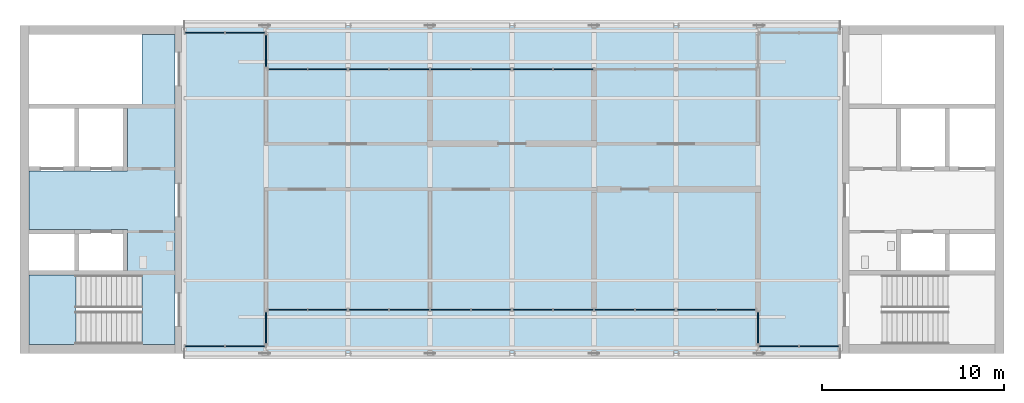
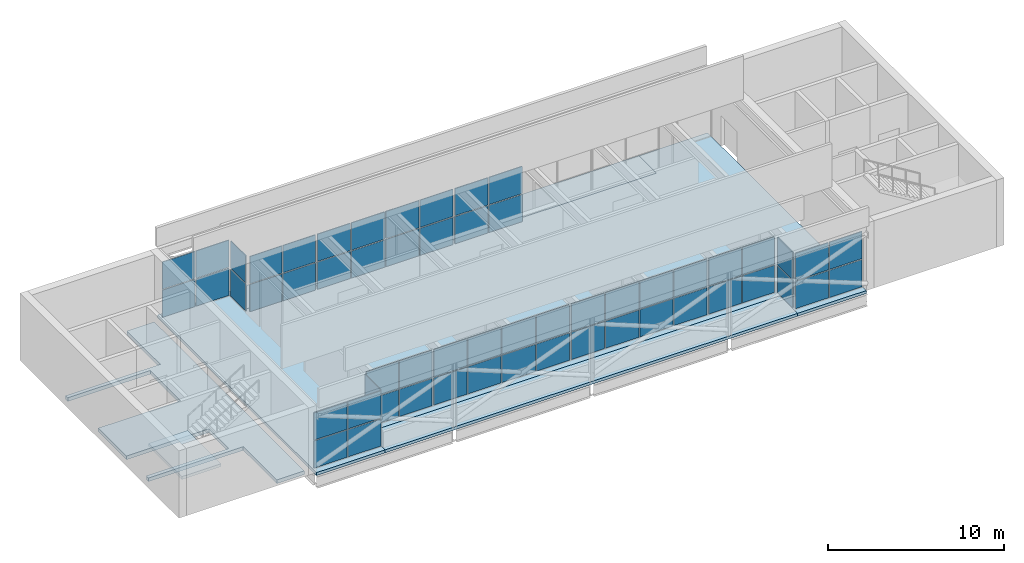
# One storey, part 6 of 13: 58 plates, 5 slabs, 14 elements without a shape of their own.
"""IFC4 building model written with IfcOpenShell, lengths in metres."""

import ifcopenshell
import ifcopenshell.guid

model = None  # the IFC model being written
_history = None  # IfcOwnerHistory: only IFC2X3 demands one
_inside = {}  # id of a spatial element -> (the spatial element, [elements in it])
_under = {}  # id of a project, library or spatial element -> (it, [spatial elements below it])
_declared = {}  # id of a project -> (the project, [libraries it declares])
_typed = {}  # id of a type object -> (the type object, [elements of that type])
_made_of = {}  # id of a material, layer set ... -> (it, [elements and type objects made of it])


def new_model(schema):
    """Start an empty IFC model of exactly this schema.

    Asked for "IFC4X3", IfcOpenShell would pick the latest addendum, in which some entities
    have other attributes; the version numbers below select the first issue.
    IFC2X3 requires an IfcOwnerHistory on every rooted entity: one is made here for all.
    """
    global model, _history
    if schema == "IFC4X3":
        model = ifcopenshell.file(schema_version=(4, 3, 0, 0))
    else:
        model = ifcopenshell.file(schema=schema)
    _inside.clear()
    _under.clear()
    _declared.clear()
    _typed.clear()
    _made_of.clear()
    _history = None
    if model.schema == "IFC2X3":
        org = make("IfcOrganization", Name="unknown")
        user = make(
            "IfcPersonAndOrganization",
            ThePerson=make("IfcPerson", FamilyName="unknown"),
            TheOrganization=org,
        )
        app = make(
            "IfcApplication",
            ApplicationDeveloper=org,
            Version="unknown",
            ApplicationFullName="unknown",
            ApplicationIdentifier="unknown",
        )
        _history = make(
            "IfcOwnerHistory",
            OwningUser=user,
            OwningApplication=app,
            ChangeAction="ADDED",
            CreationDate=0,
        )
    return model


def make(cls, **values):
    """One entity of the class cls with the attributes given. An attribute that is None is left unset."""
    return model.create_entity(
        cls, **{name: value for name, value in values.items() if value is not None}
    )


def rooted(cls, **values):
    """An entity with a GlobalId (a new one), such as an element, a storey or a relation."""
    return make(cls, GlobalId=ifcopenshell.guid.new(), OwnerHistory=_history, **values)


def si_unit(unit_type, name, prefix=None):
    """IfcSIUnit, for example si_unit("LENGTHUNIT", "METRE", prefix="MILLI")."""
    return make("IfcSIUnit", UnitType=unit_type, Prefix=prefix, Name=name)


def assignment(units):
    """IfcUnitAssignment: the units of a project."""
    return None if units is None else make("IfcUnitAssignment", Units=units)


def point(xyz):
    """IfcCartesianPoint."""
    return None if xyz is None else make("IfcCartesianPoint", Coordinates=xyz)


def direction(xyz):
    """IfcDirection."""
    return None if xyz is None else make("IfcDirection", DirectionRatios=xyz)


def frame(location, z_axis=None, x_axis=None):
    """IfcAxis2Placement3D, a coordinate frame: its origin and axes. An axis left out is left unset."""
    return make(
        "IfcAxis2Placement3D",
        Location=point(location),
        Axis=direction(z_axis),
        RefDirection=direction(x_axis),
    )


def frame_2d(location, x_axis=None):
    """IfcAxis2Placement2D, a coordinate frame in the plane: its origin and x axis."""
    return make(
        "IfcAxis2Placement2D", Location=point(location), RefDirection=direction(x_axis)
    )


def origin():
    """The frame at (0, 0, 0) with its axes left unset."""
    return frame((0.0, 0.0, 0.0))


def origin_2d():
    """The frame at (0, 0) in the plane with its x axis left unset."""
    return frame_2d((0.0, 0.0))


def place(relative_to, where):
    """IfcLocalPlacement: puts the frame where relative to a parent placement (None: the world)."""
    return make(
        "IfcLocalPlacement", PlacementRelTo=relative_to, RelativePlacement=where
    )


def context(
    kind, dimensions, precision=None, world=None, true_north=None, identifier=None
):
    """IfcGeometricRepresentationContext, for example the 3D "Model" context."""
    return make(
        "IfcGeometricRepresentationContext",
        ContextIdentifier=identifier,
        ContextType=kind,
        CoordinateSpaceDimension=dimensions,
        Precision=precision,
        WorldCoordinateSystem=world,
        TrueNorth=true_north,
    )


def subcontext(parent, identifier, kind, view, scale=None):
    """IfcGeometricRepresentationSubContext, for example "Body" below "Model"."""
    return make(
        "IfcGeometricRepresentationSubContext",
        ContextIdentifier=identifier,
        ContextType=kind,
        ParentContext=parent,
        TargetScale=scale,
        TargetView=view,
    )


def project(units=None, contexts=None):
    """IfcProject with its units and contexts."""
    return rooted(
        "IfcProject",
        Name="project",
        RepresentationContexts=contexts,
        UnitsInContext=assignment(units),
    )


def spatial(cls, under=None, at=None, **own):
    """A site, building, storey or space (cls), placed at a placement, below another one or the project."""
    s = rooted(cls, ObjectPlacement=at, **own)
    if under is not None:
        _under.setdefault(under.id(), (under, []))[1].append(s)
    return s


def polyline(points):
    """IfcPolyline through the points."""
    return make("IfcPolyline", Points=[point(p) for p in points])


def profile(cls, at=None, kind="AREA", **sizes):
    """A parametric profile (cls). Its sizes go by their IFC names, for example OverallWidth=200.0."""
    return make(cls, ProfileType=kind, Position=at, **sizes)


def rectangle(**sizes):
    """IfcRectangleProfileDef."""
    return profile("IfcRectangleProfileDef", **sizes)


def outline(outer, holes=None, kind="AREA"):
    """IfcArbitraryClosedProfileDef: a profile drawn as a closed curve; with holes, ...WithVoids."""
    if holes is None:
        return make("IfcArbitraryClosedProfileDef", ProfileType=kind, OuterCurve=outer)
    return make(
        "IfcArbitraryProfileDefWithVoids",
        ProfileType=kind,
        OuterCurve=outer,
        InnerCurves=holes,
    )


def extrude(swept, where, along, depth):
    """IfcExtrudedAreaSolid: the profile swept, set in the frame where, extruded along a direction by depth."""
    return make(
        "IfcExtrudedAreaSolid",
        SweptArea=swept,
        Position=where,
        ExtrudedDirection=direction(along),
        Depth=depth,
    )


def shape(context_of_items, identifier, shape_type, items):
    """IfcShapeRepresentation: the items that make up one representation, for example the "Body"."""
    return make(
        "IfcShapeRepresentation",
        ContextOfItems=context_of_items,
        RepresentationIdentifier=identifier,
        RepresentationType=shape_type,
        Items=items,
    )


def material(Name=None, Category=None):
    """IfcMaterial."""
    return make("IfcMaterial", Name=Name, Category=Category)


def layer(
    of_material, thickness, ventilated=None, Name=None, Category=None, Priority=None
):
    """IfcMaterialLayer: one layer of a wall or slab, of a material (None: an air gap)."""
    return make(
        "IfcMaterialLayer",
        Material=of_material,
        LayerThickness=thickness,
        IsVentilated=ventilated,
        Name=Name,
        Category=Category,
        Priority=Priority,
    )


def layer_set(layers, Name=None):
    """IfcMaterialLayerSet."""
    return make("IfcMaterialLayerSet", MaterialLayers=layers, LayerSetName=Name)


def made_of(thing, what):
    """Note that an element or type object is made of a material, layer set ...; save() writes the relation."""
    if what is not None:
        _made_of.setdefault(what.id(), (what, []))[1].append(thing)
    return thing


def type_object(cls, material=None, **own):
    """A type object (cls), such as IfcWallType, which elements share."""
    return made_of(rooted(cls, **own), material)


def element(
    cls,
    number,
    at=None,
    inside=None,
    cuts=None,
    type_object=None,
    material=None,
    context=None,
    identifier="Body",
    shape_type=None,
    held_by="IfcProductDefinitionShape",
    body=None,
    shapes=None,
    **own,
):
    """One element of the class cls, such as IfcWall. Its Tag is "e" and its number.

    at: its placement. inside: the storey or other place that contains it. cuts: it is an
    opening in that element (IfcRelVoidsElement). A single representation is given by context,
    identifier, shape_type and body (its items); several are given by shapes. held_by: the class
    of the entity that holds the representations. save() writes the other relations.
    """
    e = rooted(cls, Tag="e%d" % number, ObjectPlacement=at, **own)
    if body is not None:
        shapes = [shape(context, identifier, shape_type, body)]
    if shapes is not None:
        e.Representation = make(held_by, Representations=shapes)
    if inside is not None:
        _inside.setdefault(inside.id(), (inside, []))[1].append(e)
    if cuts is not None:
        rooted(
            "IfcRelVoidsElement", RelatingBuildingElement=cuts, RelatedOpeningElement=e
        )
    if type_object is not None:
        _typed.setdefault(type_object.id(), (type_object, []))[1].append(e)
    return made_of(e, material)


def aggregate(whole, parts):
    """IfcRelAggregates: a whole, such as a stair, and the parts it consists of."""
    return rooted("IfcRelAggregates", RelatingObject=whole, RelatedObjects=parts)


def save(model, path):
    """Write the relations noted so far, then the file.

    IfcRelAggregates (storeys below a building ...), IfcRelContainedInSpatialStructure (elements
    in a storey), IfcRelDefinesByType, IfcRelAssociatesMaterial and IfcRelDeclares: one each for
    every whole, place, type object, material and project.
    """
    for whole, parts in _under.values():
        aggregate(whole, parts)
    for where, things in _inside.values():
        rooted(
            "IfcRelContainedInSpatialStructure",
            RelatedElements=things,
            RelatingStructure=where,
        )
    for kind, things in _typed.values():
        rooted("IfcRelDefinesByType", RelatedObjects=things, RelatingType=kind)
    for what, things in _made_of.values():
        rooted("IfcRelAssociatesMaterial", RelatedObjects=things, RelatingMaterial=what)
    for by, libraries in _declared.values():
        rooted("IfcRelDeclares", RelatingContext=by, RelatedDefinitions=libraries)
    model.write(path)


model = new_model("IFC4")

# Units and contexts
model_context = context("Model", 3, precision=1e-05, world=origin(), true_north=direction((0.0, 1.0)))
body_context = subcontext(model_context, "Body", "Model", "MODEL_VIEW")
ifc_project = project(units=[si_unit("LENGTHUNIT", "METRE"), si_unit("AREAUNIT", "SQUARE_METRE"), si_unit("VOLUMEUNIT", "CUBIC_METRE"), si_unit("PLANEANGLEUNIT", "RADIAN"), si_unit("MASSUNIT", "GRAM", prefix="KILO")], contexts=[model_context])

# Site, building, storey
site_placement = place(None, origin())
site = spatial("IfcSite", under=ifc_project, at=site_placement, CompositionType="ELEMENT")
building_placement = place(site_placement, origin())
building = spatial("IfcBuilding", under=site, at=building_placement, Name="Corbel Yard City Hall", CompositionType="ELEMENT")
storey_placement = place(building_placement, frame((0.0, 0.0, 71.199951171875)))
storey = spatial("IfcBuildingStorey", under=building, at=storey_placement, Name="L17", CompositionType="ELEMENT", Elevation=71.199951171875)

# Slab
ifc_material_1 = material(Name="Concrete N40 (40 MPa)", Category="concrete")
ifc_layer_1 = layer(ifc_material_1, 0.25)
ifc_layer_set_1 = layer_set([ifc_layer_1], Name="Concrete N40 (40 MPa)")
slab_type_1 = type_object("IfcSlabType", Name="CF1", PredefinedType="FLOOR", material=ifc_layer_set_1)
slab_1_placement = place(storey_placement, frame((0.0, 0.0, -0.25)))
element("IfcSlab", 1, at=slab_1_placement, inside=storey, type_object=slab_type_1, Name="Core floor slab", PredefinedType="FLOOR", context=body_context, shape_type="SweptSolid", body=[
    extrude(outline(polyline([(8.5, 116.5), (6.698974609375, 116.5), (6.698974609375, 112.699951171875), (0.5, 112.699951171875), (0.5, 112.449951171875), (5.89990234375, 112.449951171875), (5.89990234375, 109.0), (0.5, 109.0), (0.5, 105.800048828125), (5.89990234375, 105.800048828125), (5.89990234375, 103.550048828125), (0.5, 103.550048828125), (0.5, 103.300048828125), (6.698974609375, 103.300048828125), (6.698974609375, 99.5), (8.5, 99.5), (8.5, 116.5)])), origin(), (0.0, 0.0, 1.0), 0.25),
])

# Stair, slab
stair_type = type_object("IfcStairType", Name="ST5", PredefinedType="HALF_TURN_STAIR", material=ifc_material_1)
stair_placement = place(storey_placement, origin())
stair = element("IfcStair", 2, at=stair_placement, inside=storey, type_object=stair_type, Name="Exit stair ST-W1 L17", PredefinedType="HALF_TURN_STAIR")
ifc_layer_2 = layer(ifc_material_1, 0.199951171875)
ifc_layer_set_2 = layer_set([ifc_layer_2], Name="Concrete N40 (40 MPa)")
slab_type_2 = type_object("IfcSlabType", Name="LN1", PredefinedType="LANDING", material=ifc_layer_set_2)
slab_2_placement = place(storey_placement, frame((0.0, 0.0, 2.199951171875)))
slab_2 = element("IfcSlab", 3, at=slab_2_placement, type_object=slab_type_2, Name="ST-W1 landing 1", PredefinedType="LANDING", context=body_context, shape_type="SweptSolid", body=[
    extrude(outline(polyline([(0.5, 99.5), (3.06005859375, 99.5), (3.06005859375, 103.300048828125), (0.5, 103.300048828125), (0.5, 99.5)])), origin(), (0.0, 0.0, 1.0), 0.2001953125),
])
aggregate(stair, [slab_2])

# Curtain wall, plates
ifc_material_2 = material(Name="Aluminium extrusion", Category="aluminium")
ifc_layer_3 = layer(ifc_material_2, 0.159912109375)
ifc_layer_set_3 = layer_set([ifc_layer_3], Name="Aluminium extrusion")
curtain_wall_type = type_object("IfcCurtainWallType", Name="CW8", PredefinedType="USERDEFINED", material=ifc_layer_set_3)
curtain_wall_1_placement = place(storey_placement, origin())
curtain_wall_1 = element("IfcCurtainWall", 4, at=curtain_wall_1_placement, inside=storey, type_object=curtain_wall_type, Name="Curtain wall CW8 L17", ObjectType="CURTAIN WALL", PredefinedType="USERDEFINED")
ifc_material_3 = material(Name="Aluminium louvre panel, fixed blades", Category="aluminium")
ifc_layer_4 = layer(ifc_material_3, 0.06005859375)
ifc_layer_set_4 = layer_set([ifc_layer_4], Name="Aluminium louvre panel, fixed blades")
plate_type = type_object("IfcPlateType", Name="PN9", PredefinedType="CURTAIN_PANEL", material=ifc_layer_set_4)
plate_1_placement = place(storey_placement, frame((10.141357421875, 99.39990234375, 0.065185546875), z_axis=(0.0, 0.0, 1.0), x_axis=(1.0, 0.0, 0.0)))
plate_1 = element("IfcPlate", 5, at=plate_1_placement, type_object=plate_type, Name="CW8 panel 1.1", PredefinedType="CURTAIN_PANEL", context=body_context, shape_type="SweptSolid", body=[
    extrude(rectangle(XDim=2.152587890625, YDim=0.06005859375, at=origin_2d()), origin(), (0.0, 0.0, 1.0), 1.87744140625),
])
plate_2_placement = place(storey_placement, frame((10.141357421875, 99.39990234375, 2.007568359375), z_axis=(0.0, 0.0, 1.0), x_axis=(1.0, 0.0, 0.0)))
plate_2 = element("IfcPlate", 6, at=plate_2_placement, type_object=plate_type, Name="CW8 panel 1.2", PredefinedType="CURTAIN_PANEL", context=body_context, shape_type="SweptSolid", body=[
    extrude(rectangle(XDim=2.152587890625, YDim=0.06005859375, at=origin_2d()), origin(), (0.0, 0.0, 1.0), 1.87744140625),
])
plate_3_placement = place(storey_placement, frame((12.358642578125, 99.39990234375, 0.065185546875), z_axis=(0.0, 0.0, 1.0), x_axis=(1.0, 0.0, 0.0)))
plate_3 = element("IfcPlate", 7, at=plate_3_placement, type_object=plate_type, Name="CW8 panel 2.1", PredefinedType="CURTAIN_PANEL", context=body_context, shape_type="SweptSolid", body=[
    extrude(rectangle(XDim=2.152587890625, YDim=0.06005859375, at=origin_2d()), origin(), (0.0, 0.0, 1.0), 1.87744140625),
])
plate_4_placement = place(storey_placement, frame((12.358642578125, 99.39990234375, 2.007568359375), z_axis=(0.0, 0.0, 1.0), x_axis=(1.0, 0.0, 0.0)))
plate_4 = element("IfcPlate", 8, at=plate_4_placement, type_object=plate_type, Name="CW8 panel 2.2", PredefinedType="CURTAIN_PANEL", context=body_context, shape_type="SweptSolid", body=[
    extrude(rectangle(XDim=2.152587890625, YDim=0.06005859375, at=origin_2d()), origin(), (0.0, 0.0, 1.0), 1.87744140625),
])
aggregate(curtain_wall_1, [plate_1, plate_2, plate_3, plate_4])

curtain_wall_2_placement = place(storey_placement, origin())
curtain_wall_2 = element("IfcCurtainWall", 9, at=curtain_wall_2_placement, inside=storey, type_object=curtain_wall_type, Name="Curtain wall CW8 L17", ObjectType="CURTAIN WALL", PredefinedType="USERDEFINED")
plate_5_placement = place(storey_placement, frame((14.701171875, 101.39990234375, 0.065185546875), z_axis=(0.0, 0.0, 1.0), x_axis=(1.0, 0.0, 0.0)))
plate_5 = element("IfcPlate", 10, at=plate_5_placement, type_object=plate_type, Name="CW8 panel 1.1", PredefinedType="CURTAIN_PANEL", context=body_context, shape_type="SweptSolid", body=[
    extrude(rectangle(XDim=2.112548828125, YDim=0.06005859375, at=origin_2d()), origin(), (0.0, 0.0, 1.0), 1.87744140625),
])
plate_6_placement = place(storey_placement, frame((14.701171875, 101.39990234375, 2.007568359375), z_axis=(0.0, 0.0, 1.0), x_axis=(1.0, 0.0, 0.0)))
plate_6 = element("IfcPlate", 11, at=plate_6_placement, type_object=plate_type, Name="CW8 panel 1.2", PredefinedType="CURTAIN_PANEL", context=body_context, shape_type="SweptSolid", body=[
    extrude(rectangle(XDim=2.112548828125, YDim=0.06005859375, at=origin_2d()), origin(), (0.0, 0.0, 1.0), 1.87744140625),
])
plate_7_placement = place(storey_placement, frame((16.878662109375, 101.39990234375, 0.065185546875), z_axis=(0.0, 0.0, 1.0), x_axis=(1.0, 0.0, 0.0)))
plate_7 = element("IfcPlate", 12, at=plate_7_placement, type_object=plate_type, Name="CW8 panel 2.1", PredefinedType="CURTAIN_PANEL", context=body_context, shape_type="SweptSolid", body=[
    extrude(rectangle(XDim=2.112548828125, YDim=0.06005859375, at=origin_2d()), origin(), (0.0, 0.0, 1.0), 1.87744140625),
])
plate_8_placement = place(storey_placement, frame((16.878662109375, 101.39990234375, 2.007568359375), z_axis=(0.0, 0.0, 1.0), x_axis=(1.0, 0.0, 0.0)))
plate_8 = element("IfcPlate", 13, at=plate_8_placement, type_object=plate_type, Name="CW8 panel 2.2", PredefinedType="CURTAIN_PANEL", context=body_context, shape_type="SweptSolid", body=[
    extrude(rectangle(XDim=2.112548828125, YDim=0.06005859375, at=origin_2d()), origin(), (0.0, 0.0, 1.0), 1.87744140625),
])
aggregate(curtain_wall_2, [plate_5, plate_6, plate_7, plate_8])

curtain_wall_3_placement = place(storey_placement, origin())
curtain_wall_3 = element("IfcCurtainWall", 14, at=curtain_wall_3_placement, inside=storey, type_object=curtain_wall_type, Name="Curtain wall CW8 L17", ObjectType="CURTAIN WALL", PredefinedType="USERDEFINED")
plate_9_placement = place(storey_placement, frame((19.141357421875, 101.39990234375, 0.065185546875), z_axis=(0.0, 0.0, 1.0), x_axis=(1.0, 0.0, 0.0)))
plate_9 = element("IfcPlate", 15, at=plate_9_placement, type_object=plate_type, Name="CW8 panel 1.1", PredefinedType="CURTAIN_PANEL", context=body_context, shape_type="SweptSolid", body=[
    extrude(rectangle(XDim=2.152587890625, YDim=0.06005859375, at=origin_2d()), origin(), (0.0, 0.0, 1.0), 1.87744140625),
])
plate_10_placement = place(storey_placement, frame((19.141357421875, 101.39990234375, 2.007568359375), z_axis=(0.0, 0.0, 1.0), x_axis=(1.0, 0.0, 0.0)))
plate_10 = element("IfcPlate", 16, at=plate_10_placement, type_object=plate_type, Name="CW8 panel 1.2", PredefinedType="CURTAIN_PANEL", context=body_context, shape_type="SweptSolid", body=[
    extrude(rectangle(XDim=2.152587890625, YDim=0.06005859375, at=origin_2d()), origin(), (0.0, 0.0, 1.0), 1.87744140625),
])
plate_11_placement = place(storey_placement, frame((21.375, 101.39990234375, 0.065185546875), z_axis=(0.0, 0.0, 1.0), x_axis=(1.0, 0.0, 0.0)))
plate_11 = element("IfcPlate", 17, at=plate_11_placement, type_object=plate_type, Name="CW8 panel 2.1", PredefinedType="CURTAIN_PANEL", context=body_context, shape_type="SweptSolid", body=[
    extrude(rectangle(XDim=2.18505859375, YDim=0.06005859375, at=origin_2d()), origin(), (0.0, 0.0, 1.0), 1.87744140625),
])
plate_12_placement = place(storey_placement, frame((21.375, 101.39990234375, 2.007568359375), z_axis=(0.0, 0.0, 1.0), x_axis=(1.0, 0.0, 0.0)))
plate_12 = element("IfcPlate", 18, at=plate_12_placement, type_object=plate_type, Name="CW8 panel 2.2", PredefinedType="CURTAIN_PANEL", context=body_context, shape_type="SweptSolid", body=[
    extrude(rectangle(XDim=2.18505859375, YDim=0.06005859375, at=origin_2d()), origin(), (0.0, 0.0, 1.0), 1.87744140625),
])
plate_13_placement = place(storey_placement, frame((23.625, 101.39990234375, 0.065185546875), z_axis=(0.0, 0.0, 1.0), x_axis=(1.0, 0.0, 0.0)))
plate_13 = element("IfcPlate", 19, at=plate_13_placement, type_object=plate_type, Name="CW8 panel 3.1", PredefinedType="CURTAIN_PANEL", context=body_context, shape_type="SweptSolid", body=[
    extrude(rectangle(XDim=2.18505859375, YDim=0.06005859375, at=origin_2d()), origin(), (0.0, 0.0, 1.0), 1.87744140625),
])
plate_14_placement = place(storey_placement, frame((23.625, 101.39990234375, 2.007568359375), z_axis=(0.0, 0.0, 1.0), x_axis=(1.0, 0.0, 0.0)))
plate_14 = element("IfcPlate", 20, at=plate_14_placement, type_object=plate_type, Name="CW8 panel 3.2", PredefinedType="CURTAIN_PANEL", context=body_context, shape_type="SweptSolid", body=[
    extrude(rectangle(XDim=2.18505859375, YDim=0.06005859375, at=origin_2d()), origin(), (0.0, 0.0, 1.0), 1.87744140625),
])
plate_15_placement = place(storey_placement, frame((25.858642578125, 101.39990234375, 0.065185546875), z_axis=(0.0, 0.0, 1.0), x_axis=(1.0, 0.0, 0.0)))
plate_15 = element("IfcPlate", 21, at=plate_15_placement, type_object=plate_type, Name="CW8 panel 4.1", PredefinedType="CURTAIN_PANEL", context=body_context, shape_type="SweptSolid", body=[
    extrude(rectangle(XDim=2.152587890625, YDim=0.06005859375, at=origin_2d()), origin(), (0.0, 0.0, 1.0), 1.87744140625),
])
plate_16_placement = place(storey_placement, frame((25.858642578125, 101.39990234375, 2.007568359375), z_axis=(0.0, 0.0, 1.0), x_axis=(1.0, 0.0, 0.0)))
plate_16 = element("IfcPlate", 22, at=plate_16_placement, type_object=plate_type, Name="CW8 panel 4.2", PredefinedType="CURTAIN_PANEL", context=body_context, shape_type="SweptSolid", body=[
    extrude(rectangle(XDim=2.152587890625, YDim=0.06005859375, at=origin_2d()), origin(), (0.0, 0.0, 1.0), 1.87744140625),
])
aggregate(curtain_wall_3, [plate_9, plate_10, plate_11, plate_12, plate_13, plate_14, plate_15, plate_16])

curtain_wall_4_placement = place(storey_placement, origin())
curtain_wall_4 = element("IfcCurtainWall", 23, at=curtain_wall_4_placement, inside=storey, type_object=curtain_wall_type, Name="Curtain wall CW8 L17", ObjectType="CURTAIN WALL", PredefinedType="USERDEFINED")
plate_17_placement = place(storey_placement, frame((28.141357421875, 101.39990234375, 0.065185546875), z_axis=(0.0, 0.0, 1.0), x_axis=(1.0, 0.0, 0.0)))
plate_17 = element("IfcPlate", 24, at=plate_17_placement, type_object=plate_type, Name="CW8 panel 1.1", PredefinedType="CURTAIN_PANEL", context=body_context, shape_type="SweptSolid", body=[
    extrude(rectangle(XDim=2.152587890625, YDim=0.06005859375, at=origin_2d()), origin(), (0.0, 0.0, 1.0), 1.87744140625),
])
plate_18_placement = place(storey_placement, frame((28.141357421875, 101.39990234375, 2.007568359375), z_axis=(0.0, 0.0, 1.0), x_axis=(1.0, 0.0, 0.0)))
plate_18 = element("IfcPlate", 25, at=plate_18_placement, type_object=plate_type, Name="CW8 panel 1.2", PredefinedType="CURTAIN_PANEL", context=body_context, shape_type="SweptSolid", body=[
    extrude(rectangle(XDim=2.152587890625, YDim=0.06005859375, at=origin_2d()), origin(), (0.0, 0.0, 1.0), 1.87744140625),
])
plate_19_placement = place(storey_placement, frame((30.375, 101.39990234375, 0.065185546875), z_axis=(0.0, 0.0, 1.0), x_axis=(1.0, 0.0, 0.0)))
plate_19 = element("IfcPlate", 26, at=plate_19_placement, type_object=plate_type, Name="CW8 panel 2.1", PredefinedType="CURTAIN_PANEL", context=body_context, shape_type="SweptSolid", body=[
    extrude(rectangle(XDim=2.18505859375, YDim=0.06005859375, at=origin_2d()), origin(), (0.0, 0.0, 1.0), 1.87744140625),
])
plate_20_placement = place(storey_placement, frame((30.375, 101.39990234375, 2.007568359375), z_axis=(0.0, 0.0, 1.0), x_axis=(1.0, 0.0, 0.0)))
plate_20 = element("IfcPlate", 27, at=plate_20_placement, type_object=plate_type, Name="CW8 panel 2.2", PredefinedType="CURTAIN_PANEL", context=body_context, shape_type="SweptSolid", body=[
    extrude(rectangle(XDim=2.18505859375, YDim=0.06005859375, at=origin_2d()), origin(), (0.0, 0.0, 1.0), 1.87744140625),
])
plate_21_placement = place(storey_placement, frame((32.625, 101.39990234375, 0.065185546875), z_axis=(0.0, 0.0, 1.0), x_axis=(1.0, 0.0, 0.0)))
plate_21 = element("IfcPlate", 28, at=plate_21_placement, type_object=plate_type, Name="CW8 panel 3.1", PredefinedType="CURTAIN_PANEL", context=body_context, shape_type="SweptSolid", body=[
    extrude(rectangle(XDim=2.18505859375, YDim=0.06005859375, at=origin_2d()), origin(), (0.0, 0.0, 1.0), 1.87744140625),
])
plate_22_placement = place(storey_placement, frame((32.625, 101.39990234375, 2.007568359375), z_axis=(0.0, 0.0, 1.0), x_axis=(1.0, 0.0, 0.0)))
plate_22 = element("IfcPlate", 29, at=plate_22_placement, type_object=plate_type, Name="CW8 panel 3.2", PredefinedType="CURTAIN_PANEL", context=body_context, shape_type="SweptSolid", body=[
    extrude(rectangle(XDim=2.18505859375, YDim=0.06005859375, at=origin_2d()), origin(), (0.0, 0.0, 1.0), 1.87744140625),
])
plate_23_placement = place(storey_placement, frame((34.858642578125, 101.39990234375, 0.065185546875), z_axis=(0.0, 0.0, 1.0), x_axis=(1.0, 0.0, 0.0)))
plate_23 = element("IfcPlate", 30, at=plate_23_placement, type_object=plate_type, Name="CW8 panel 4.1", PredefinedType="CURTAIN_PANEL", context=body_context, shape_type="SweptSolid", body=[
    extrude(rectangle(XDim=2.152587890625, YDim=0.06005859375, at=origin_2d()), origin(), (0.0, 0.0, 1.0), 1.87744140625),
])
plate_24_placement = place(storey_placement, frame((34.858642578125, 101.39990234375, 2.007568359375), z_axis=(0.0, 0.0, 1.0), x_axis=(1.0, 0.0, 0.0)))
plate_24 = element("IfcPlate", 31, at=plate_24_placement, type_object=plate_type, Name="CW8 panel 4.2", PredefinedType="CURTAIN_PANEL", context=body_context, shape_type="SweptSolid", body=[
    extrude(rectangle(XDim=2.152587890625, YDim=0.06005859375, at=origin_2d()), origin(), (0.0, 0.0, 1.0), 1.87744140625),
])
aggregate(curtain_wall_4, [plate_17, plate_18, plate_19, plate_20, plate_21, plate_22, plate_23, plate_24])

curtain_wall_5_placement = place(storey_placement, origin())
curtain_wall_5 = element("IfcCurtainWall", 32, at=curtain_wall_5_placement, inside=storey, type_object=curtain_wall_type, Name="Curtain wall CW8 L17", ObjectType="CURTAIN WALL", PredefinedType="USERDEFINED")
plate_25_placement = place(storey_placement, frame((37.121337890625, 101.39990234375, 0.065185546875), z_axis=(0.0, 0.0, 1.0), x_axis=(1.0, 0.0, 0.0)))
plate_25 = element("IfcPlate", 33, at=plate_25_placement, type_object=plate_type, Name="CW8 panel 1.1", PredefinedType="CURTAIN_PANEL", context=body_context, shape_type="SweptSolid", body=[
    extrude(rectangle(XDim=2.112548828125, YDim=0.06005859375, at=origin_2d()), origin(), (0.0, 0.0, 1.0), 1.87744140625),
])
plate_26_placement = place(storey_placement, frame((37.121337890625, 101.39990234375, 2.007568359375), z_axis=(0.0, 0.0, 1.0), x_axis=(1.0, 0.0, 0.0)))
plate_26 = element("IfcPlate", 34, at=plate_26_placement, type_object=plate_type, Name="CW8 panel 1.2", PredefinedType="CURTAIN_PANEL", context=body_context, shape_type="SweptSolid", body=[
    extrude(rectangle(XDim=2.112548828125, YDim=0.06005859375, at=origin_2d()), origin(), (0.0, 0.0, 1.0), 1.87744140625),
])
plate_27_placement = place(storey_placement, frame((39.298828125, 101.39990234375, 0.065185546875), z_axis=(0.0, 0.0, 1.0), x_axis=(1.0, 0.0, 0.0)))
plate_27 = element("IfcPlate", 35, at=plate_27_placement, type_object=plate_type, Name="CW8 panel 2.1", PredefinedType="CURTAIN_PANEL", context=body_context, shape_type="SweptSolid", body=[
    extrude(rectangle(XDim=2.112548828125, YDim=0.06005859375, at=origin_2d()), origin(), (0.0, 0.0, 1.0), 1.87744140625),
])
plate_28_placement = place(storey_placement, frame((39.298828125, 101.39990234375, 2.007568359375), z_axis=(0.0, 0.0, 1.0), x_axis=(1.0, 0.0, 0.0)))
plate_28 = element("IfcPlate", 36, at=plate_28_placement, type_object=plate_type, Name="CW8 panel 2.2", PredefinedType="CURTAIN_PANEL", context=body_context, shape_type="SweptSolid", body=[
    extrude(rectangle(XDim=2.112548828125, YDim=0.06005859375, at=origin_2d()), origin(), (0.0, 0.0, 1.0), 1.87744140625),
])
aggregate(curtain_wall_5, [plate_25, plate_26, plate_27, plate_28])

curtain_wall_6_placement = place(storey_placement, origin())
curtain_wall_6 = element("IfcCurtainWall", 37, at=curtain_wall_6_placement, inside=storey, type_object=curtain_wall_type, Name="Curtain wall CW8 L17", ObjectType="CURTAIN WALL", PredefinedType="USERDEFINED")
plate_29_placement = place(storey_placement, frame((41.641357421875, 99.39990234375, 0.065185546875), z_axis=(0.0, 0.0, 1.0), x_axis=(1.0, 0.0, 0.0)))
plate_29 = element("IfcPlate", 38, at=plate_29_placement, type_object=plate_type, Name="CW8 panel 1.1", PredefinedType="CURTAIN_PANEL", context=body_context, shape_type="SweptSolid", body=[
    extrude(rectangle(XDim=2.152587890625, YDim=0.06005859375, at=origin_2d()), origin(), (0.0, 0.0, 1.0), 1.87744140625),
])
plate_30_placement = place(storey_placement, frame((41.641357421875, 99.39990234375, 2.007568359375), z_axis=(0.0, 0.0, 1.0), x_axis=(1.0, 0.0, 0.0)))
plate_30 = element("IfcPlate", 39, at=plate_30_placement, type_object=plate_type, Name="CW8 panel 1.2", PredefinedType="CURTAIN_PANEL", context=body_context, shape_type="SweptSolid", body=[
    extrude(rectangle(XDim=2.152587890625, YDim=0.06005859375, at=origin_2d()), origin(), (0.0, 0.0, 1.0), 1.87744140625),
])
plate_31_placement = place(storey_placement, frame((43.858642578125, 99.39990234375, 0.065185546875), z_axis=(0.0, 0.0, 1.0), x_axis=(1.0, 0.0, 0.0)))
plate_31 = element("IfcPlate", 40, at=plate_31_placement, type_object=plate_type, Name="CW8 panel 2.1", PredefinedType="CURTAIN_PANEL", context=body_context, shape_type="SweptSolid", body=[
    extrude(rectangle(XDim=2.152587890625, YDim=0.06005859375, at=origin_2d()), origin(), (0.0, 0.0, 1.0), 1.87744140625),
])
plate_32_placement = place(storey_placement, frame((43.858642578125, 99.39990234375, 2.007568359375), z_axis=(0.0, 0.0, 1.0), x_axis=(1.0, 0.0, 0.0)))
plate_32 = element("IfcPlate", 41, at=plate_32_placement, type_object=plate_type, Name="CW8 panel 2.2", PredefinedType="CURTAIN_PANEL", context=body_context, shape_type="SweptSolid", body=[
    extrude(rectangle(XDim=2.152587890625, YDim=0.06005859375, at=origin_2d()), origin(), (0.0, 0.0, 1.0), 1.87744140625),
])
aggregate(curtain_wall_6, [plate_29, plate_30, plate_31, plate_32])

curtain_wall_7_placement = place(storey_placement, origin())
curtain_wall_7 = element("IfcCurtainWall", 42, at=curtain_wall_7_placement, inside=storey, type_object=curtain_wall_type, Name="Curtain wall CW8 L17", ObjectType="CURTAIN WALL", PredefinedType="USERDEFINED")
plate_33_placement = place(storey_placement, frame((13.5, 100.39990234375, 0.065185546875), z_axis=(0.0, 0.0, 1.0), x_axis=(0.0, 1.0, 0.0)))
plate_33 = element("IfcPlate", 43, at=plate_33_placement, type_object=plate_type, Name="CW8 panel 1.1", PredefinedType="CURTAIN_PANEL", context=body_context, shape_type="SweptSolid", body=[
    extrude(rectangle(XDim=1.7099609375, YDim=0.06005859375, at=origin_2d()), origin(), (0.0, 0.0, 1.0), 1.87744140625),
])
plate_34_placement = place(storey_placement, frame((13.5, 100.39990234375, 2.007568359375), z_axis=(0.0, 0.0, 1.0), x_axis=(0.0, 1.0, 0.0)))
plate_34 = element("IfcPlate", 44, at=plate_34_placement, type_object=plate_type, Name="CW8 panel 1.2", PredefinedType="CURTAIN_PANEL", context=body_context, shape_type="SweptSolid", body=[
    extrude(rectangle(XDim=1.7099609375, YDim=0.06005859375, at=origin_2d()), origin(), (0.0, 0.0, 1.0), 1.87744140625),
])
aggregate(curtain_wall_7, [plate_33, plate_34])

curtain_wall_8_placement = place(storey_placement, origin())
curtain_wall_8 = element("IfcCurtainWall", 45, at=curtain_wall_8_placement, inside=storey, type_object=curtain_wall_type, Name="Curtain wall CW8 L17", ObjectType="CURTAIN WALL", PredefinedType="USERDEFINED")
plate_35_placement = place(storey_placement, frame((40.5, 100.39990234375, 0.065185546875), z_axis=(0.0, 0.0, 1.0), x_axis=(0.0, 1.0, 0.0)))
plate_35 = element("IfcPlate", 46, at=plate_35_placement, type_object=plate_type, Name="CW8 panel 1.1", PredefinedType="CURTAIN_PANEL", context=body_context, shape_type="SweptSolid", body=[
    extrude(rectangle(XDim=1.7099609375, YDim=0.06005859375, at=origin_2d()), origin(), (0.0, 0.0, 1.0), 1.87744140625),
])
plate_36_placement = place(storey_placement, frame((40.5, 100.39990234375, 2.007568359375), z_axis=(0.0, 0.0, 1.0), x_axis=(0.0, 1.0, 0.0)))
plate_36 = element("IfcPlate", 47, at=plate_36_placement, type_object=plate_type, Name="CW8 panel 1.2", PredefinedType="CURTAIN_PANEL", context=body_context, shape_type="SweptSolid", body=[
    extrude(rectangle(XDim=1.7099609375, YDim=0.06005859375, at=origin_2d()), origin(), (0.0, 0.0, 1.0), 1.87744140625),
])
aggregate(curtain_wall_8, [plate_35, plate_36])

curtain_wall_9_placement = place(storey_placement, origin())
curtain_wall_9 = element("IfcCurtainWall", 48, at=curtain_wall_9_placement, inside=storey, type_object=curtain_wall_type, Name="Curtain wall CW8 L17", ObjectType="CURTAIN WALL", PredefinedType="USERDEFINED")
plate_37_placement = place(storey_placement, frame((10.141357421875, 116.60009765625, 0.065185546875), z_axis=(0.0, 0.0, 1.0), x_axis=(1.0, 0.0, 0.0)))
plate_37 = element("IfcPlate", 49, at=plate_37_placement, type_object=plate_type, Name="CW8 panel 1.1", PredefinedType="CURTAIN_PANEL", context=body_context, shape_type="SweptSolid", body=[
    extrude(rectangle(XDim=2.152587890625, YDim=0.06005859375, at=origin_2d()), origin(), (0.0, 0.0, 1.0), 1.87744140625),
])
plate_38_placement = place(storey_placement, frame((10.141357421875, 116.60009765625, 2.007568359375), z_axis=(0.0, 0.0, 1.0), x_axis=(1.0, 0.0, 0.0)))
plate_38 = element("IfcPlate", 50, at=plate_38_placement, type_object=plate_type, Name="CW8 panel 1.2", PredefinedType="CURTAIN_PANEL", context=body_context, shape_type="SweptSolid", body=[
    extrude(rectangle(XDim=2.152587890625, YDim=0.06005859375, at=origin_2d()), origin(), (0.0, 0.0, 1.0), 1.87744140625),
])
plate_39_placement = place(storey_placement, frame((12.358642578125, 116.60009765625, 0.065185546875), z_axis=(0.0, 0.0, 1.0), x_axis=(1.0, 0.0, 0.0)))
plate_39 = element("IfcPlate", 51, at=plate_39_placement, type_object=plate_type, Name="CW8 panel 2.1", PredefinedType="CURTAIN_PANEL", context=body_context, shape_type="SweptSolid", body=[
    extrude(rectangle(XDim=2.152587890625, YDim=0.06005859375, at=origin_2d()), origin(), (0.0, 0.0, 1.0), 1.87744140625),
])
plate_40_placement = place(storey_placement, frame((12.358642578125, 116.60009765625, 2.007568359375), z_axis=(0.0, 0.0, 1.0), x_axis=(1.0, 0.0, 0.0)))
plate_40 = element("IfcPlate", 52, at=plate_40_placement, type_object=plate_type, Name="CW8 panel 2.2", PredefinedType="CURTAIN_PANEL", context=body_context, shape_type="SweptSolid", body=[
    extrude(rectangle(XDim=2.152587890625, YDim=0.06005859375, at=origin_2d()), origin(), (0.0, 0.0, 1.0), 1.87744140625),
])
aggregate(curtain_wall_9, [plate_37, plate_38, plate_39, plate_40])

curtain_wall_10_placement = place(storey_placement, origin())
curtain_wall_10 = element("IfcCurtainWall", 53, at=curtain_wall_10_placement, inside=storey, type_object=curtain_wall_type, Name="Curtain wall CW8 L17", ObjectType="CURTAIN WALL", PredefinedType="USERDEFINED")
plate_41_placement = place(storey_placement, frame((14.701171875, 114.60009765625, 0.065185546875), z_axis=(0.0, 0.0, 1.0), x_axis=(1.0, 0.0, 0.0)))
plate_41 = element("IfcPlate", 54, at=plate_41_placement, type_object=plate_type, Name="CW8 panel 1.1", PredefinedType="CURTAIN_PANEL", context=body_context, shape_type="SweptSolid", body=[
    extrude(rectangle(XDim=2.112548828125, YDim=0.06005859375, at=origin_2d()), origin(), (0.0, 0.0, 1.0), 1.87744140625),
])
plate_42_placement = place(storey_placement, frame((14.701171875, 114.60009765625, 2.007568359375), z_axis=(0.0, 0.0, 1.0), x_axis=(1.0, 0.0, 0.0)))
plate_42 = element("IfcPlate", 55, at=plate_42_placement, type_object=plate_type, Name="CW8 panel 1.2", PredefinedType="CURTAIN_PANEL", context=body_context, shape_type="SweptSolid", body=[
    extrude(rectangle(XDim=2.112548828125, YDim=0.06005859375, at=origin_2d()), origin(), (0.0, 0.0, 1.0), 1.87744140625),
])
plate_43_placement = place(storey_placement, frame((16.878662109375, 114.60009765625, 0.065185546875), z_axis=(0.0, 0.0, 1.0), x_axis=(1.0, 0.0, 0.0)))
plate_43 = element("IfcPlate", 56, at=plate_43_placement, type_object=plate_type, Name="CW8 panel 2.1", PredefinedType="CURTAIN_PANEL", context=body_context, shape_type="SweptSolid", body=[
    extrude(rectangle(XDim=2.112548828125, YDim=0.06005859375, at=origin_2d()), origin(), (0.0, 0.0, 1.0), 1.87744140625),
])
plate_44_placement = place(storey_placement, frame((16.878662109375, 114.60009765625, 2.007568359375), z_axis=(0.0, 0.0, 1.0), x_axis=(1.0, 0.0, 0.0)))
plate_44 = element("IfcPlate", 57, at=plate_44_placement, type_object=plate_type, Name="CW8 panel 2.2", PredefinedType="CURTAIN_PANEL", context=body_context, shape_type="SweptSolid", body=[
    extrude(rectangle(XDim=2.112548828125, YDim=0.06005859375, at=origin_2d()), origin(), (0.0, 0.0, 1.0), 1.87744140625),
])
aggregate(curtain_wall_10, [plate_41, plate_42, plate_43, plate_44])

curtain_wall_11_placement = place(storey_placement, origin())
curtain_wall_11 = element("IfcCurtainWall", 58, at=curtain_wall_11_placement, inside=storey, type_object=curtain_wall_type, Name="Curtain wall CW8 L17", ObjectType="CURTAIN WALL", PredefinedType="USERDEFINED")
plate_45_placement = place(storey_placement, frame((19.141357421875, 114.60009765625, 0.065185546875), z_axis=(0.0, 0.0, 1.0), x_axis=(1.0, 0.0, 0.0)))
plate_45 = element("IfcPlate", 59, at=plate_45_placement, type_object=plate_type, Name="CW8 panel 1.1", PredefinedType="CURTAIN_PANEL", context=body_context, shape_type="SweptSolid", body=[
    extrude(rectangle(XDim=2.152587890625, YDim=0.06005859375, at=origin_2d()), origin(), (0.0, 0.0, 1.0), 1.87744140625),
])
plate_46_placement = place(storey_placement, frame((19.141357421875, 114.60009765625, 2.007568359375), z_axis=(0.0, 0.0, 1.0), x_axis=(1.0, 0.0, 0.0)))
plate_46 = element("IfcPlate", 60, at=plate_46_placement, type_object=plate_type, Name="CW8 panel 1.2", PredefinedType="CURTAIN_PANEL", context=body_context, shape_type="SweptSolid", body=[
    extrude(rectangle(XDim=2.152587890625, YDim=0.06005859375, at=origin_2d()), origin(), (0.0, 0.0, 1.0), 1.87744140625),
])
plate_47_placement = place(storey_placement, frame((21.375, 114.60009765625, 0.065185546875), z_axis=(0.0, 0.0, 1.0), x_axis=(1.0, 0.0, 0.0)))
plate_47 = element("IfcPlate", 61, at=plate_47_placement, type_object=plate_type, Name="CW8 panel 2.1", PredefinedType="CURTAIN_PANEL", context=body_context, shape_type="SweptSolid", body=[
    extrude(rectangle(XDim=2.18505859375, YDim=0.06005859375, at=origin_2d()), origin(), (0.0, 0.0, 1.0), 1.87744140625),
])
plate_48_placement = place(storey_placement, frame((21.375, 114.60009765625, 2.007568359375), z_axis=(0.0, 0.0, 1.0), x_axis=(1.0, 0.0, 0.0)))
plate_48 = element("IfcPlate", 62, at=plate_48_placement, type_object=plate_type, Name="CW8 panel 2.2", PredefinedType="CURTAIN_PANEL", context=body_context, shape_type="SweptSolid", body=[
    extrude(rectangle(XDim=2.18505859375, YDim=0.06005859375, at=origin_2d()), origin(), (0.0, 0.0, 1.0), 1.87744140625),
])
plate_49_placement = place(storey_placement, frame((23.625, 114.60009765625, 0.065185546875), z_axis=(0.0, 0.0, 1.0), x_axis=(1.0, 0.0, 0.0)))
plate_49 = element("IfcPlate", 63, at=plate_49_placement, type_object=plate_type, Name="CW8 panel 3.1", PredefinedType="CURTAIN_PANEL", context=body_context, shape_type="SweptSolid", body=[
    extrude(rectangle(XDim=2.18505859375, YDim=0.06005859375, at=origin_2d()), origin(), (0.0, 0.0, 1.0), 1.87744140625),
])
plate_50_placement = place(storey_placement, frame((23.625, 114.60009765625, 2.007568359375), z_axis=(0.0, 0.0, 1.0), x_axis=(1.0, 0.0, 0.0)))
plate_50 = element("IfcPlate", 64, at=plate_50_placement, type_object=plate_type, Name="CW8 panel 3.2", PredefinedType="CURTAIN_PANEL", context=body_context, shape_type="SweptSolid", body=[
    extrude(rectangle(XDim=2.18505859375, YDim=0.06005859375, at=origin_2d()), origin(), (0.0, 0.0, 1.0), 1.87744140625),
])
plate_51_placement = place(storey_placement, frame((25.858642578125, 114.60009765625, 0.065185546875), z_axis=(0.0, 0.0, 1.0), x_axis=(1.0, 0.0, 0.0)))
plate_51 = element("IfcPlate", 65, at=plate_51_placement, type_object=plate_type, Name="CW8 panel 4.1", PredefinedType="CURTAIN_PANEL", context=body_context, shape_type="SweptSolid", body=[
    extrude(rectangle(XDim=2.152587890625, YDim=0.06005859375, at=origin_2d()), origin(), (0.0, 0.0, 1.0), 1.87744140625),
])
plate_52_placement = place(storey_placement, frame((25.858642578125, 114.60009765625, 2.007568359375), z_axis=(0.0, 0.0, 1.0), x_axis=(1.0, 0.0, 0.0)))
plate_52 = element("IfcPlate", 66, at=plate_52_placement, type_object=plate_type, Name="CW8 panel 4.2", PredefinedType="CURTAIN_PANEL", context=body_context, shape_type="SweptSolid", body=[
    extrude(rectangle(XDim=2.152587890625, YDim=0.06005859375, at=origin_2d()), origin(), (0.0, 0.0, 1.0), 1.87744140625),
])
aggregate(curtain_wall_11, [plate_45, plate_46, plate_47, plate_48, plate_49, plate_50, plate_51, plate_52])

curtain_wall_12_placement = place(storey_placement, origin())
curtain_wall_12 = element("IfcCurtainWall", 67, at=curtain_wall_12_placement, inside=storey, type_object=curtain_wall_type, Name="Curtain wall CW8 L17", ObjectType="CURTAIN WALL", PredefinedType="USERDEFINED")
plate_53_placement = place(storey_placement, frame((28.141357421875, 114.60009765625, 0.065185546875), z_axis=(0.0, 0.0, 1.0), x_axis=(1.0, 0.0, 0.0)))
plate_53 = element("IfcPlate", 68, at=plate_53_placement, type_object=plate_type, Name="CW8 panel 1.1", PredefinedType="CURTAIN_PANEL", context=body_context, shape_type="SweptSolid", body=[
    extrude(rectangle(XDim=2.152587890625, YDim=0.06005859375, at=origin_2d()), origin(), (0.0, 0.0, 1.0), 1.87744140625),
])
plate_54_placement = place(storey_placement, frame((28.141357421875, 114.60009765625, 2.007568359375), z_axis=(0.0, 0.0, 1.0), x_axis=(1.0, 0.0, 0.0)))
plate_54 = element("IfcPlate", 69, at=plate_54_placement, type_object=plate_type, Name="CW8 panel 1.2", PredefinedType="CURTAIN_PANEL", context=body_context, shape_type="SweptSolid", body=[
    extrude(rectangle(XDim=2.152587890625, YDim=0.06005859375, at=origin_2d()), origin(), (0.0, 0.0, 1.0), 1.87744140625),
])
plate_55_placement = place(storey_placement, frame((30.375, 114.60009765625, 0.065185546875), z_axis=(0.0, 0.0, 1.0), x_axis=(1.0, 0.0, 0.0)))
plate_55 = element("IfcPlate", 70, at=plate_55_placement, type_object=plate_type, Name="CW8 panel 2.1", PredefinedType="CURTAIN_PANEL", context=body_context, shape_type="SweptSolid", body=[
    extrude(rectangle(XDim=2.18505859375, YDim=0.06005859375, at=origin_2d()), origin(), (0.0, 0.0, 1.0), 1.87744140625),
])
plate_56_placement = place(storey_placement, frame((30.375, 114.60009765625, 2.007568359375), z_axis=(0.0, 0.0, 1.0), x_axis=(1.0, 0.0, 0.0)))
plate_56 = element("IfcPlate", 71, at=plate_56_placement, type_object=plate_type, Name="CW8 panel 2.2", PredefinedType="CURTAIN_PANEL", context=body_context, shape_type="SweptSolid", body=[
    extrude(rectangle(XDim=2.18505859375, YDim=0.06005859375, at=origin_2d()), origin(), (0.0, 0.0, 1.0), 1.87744140625),
])
aggregate(curtain_wall_12, [plate_53, plate_54, plate_55, plate_56])

curtain_wall_13_placement = place(storey_placement, origin())
curtain_wall_13 = element("IfcCurtainWall", 72, at=curtain_wall_13_placement, inside=storey, type_object=curtain_wall_type, Name="Curtain wall CW8 L17", ObjectType="CURTAIN WALL", PredefinedType="USERDEFINED")
plate_57_placement = place(storey_placement, frame((13.5, 115.60009765625, 0.065185546875), z_axis=(0.0, 0.0, 1.0), x_axis=(0.0, -1.0, 0.0)))
plate_57 = element("IfcPlate", 73, at=plate_57_placement, type_object=plate_type, Name="CW8 panel 1.1", PredefinedType="CURTAIN_PANEL", context=body_context, shape_type="SweptSolid", body=[
    extrude(rectangle(XDim=1.7099609375, YDim=0.06005859375, at=origin_2d()), origin(), (0.0, 0.0, 1.0), 1.87744140625),
])
plate_58_placement = place(storey_placement, frame((13.5, 115.60009765625, 2.007568359375), z_axis=(0.0, 0.0, 1.0), x_axis=(0.0, -1.0, 0.0)))
plate_58 = element("IfcPlate", 74, at=plate_58_placement, type_object=plate_type, Name="CW8 panel 1.2", PredefinedType="CURTAIN_PANEL", context=body_context, shape_type="SweptSolid", body=[
    extrude(rectangle(XDim=1.7099609375, YDim=0.06005859375, at=origin_2d()), origin(), (0.0, 0.0, 1.0), 1.87744140625),
])
aggregate(curtain_wall_13, [plate_57, plate_58])

# Slabs
ifc_layer_5 = layer(ifc_material_1, 0.199951171875)
ifc_layer_set_5 = layer_set([ifc_layer_5], Name="Concrete N40 (40 MPa)")
slab_type_3 = type_object("IfcSlabType", Name="Plant floor slab 200", PredefinedType="FLOOR", material=ifc_layer_set_5)
slab_3_placement = place(storey_placement, frame((0.0, 0.0, -0.199951171875)))
element("IfcSlab", 75, at=slab_3_placement, inside=storey, type_object=slab_type_3, Name="Tower floor slab L17", PredefinedType="FLOOR", context=body_context, shape_type="SweptSolid", body=[
    extrude(outline(polyline([(9.0, 117.0), (9.0, 99.0), (13.5, 99.0), (13.5, 101.0), (40.5, 101.0), (40.5, 99.0), (45.0, 99.0), (45.0, 117.0), (40.5, 117.0), (40.5, 115.0), (13.5, 115.0), (13.5, 117.0), (9.0, 117.0)])), origin(), (0.0, 0.0, 1.0), 0.199951171875),
])
ifc_layer_6 = layer(ifc_material_1, 0.199951171875)
ifc_layer_set_6 = layer_set([ifc_layer_6], Name="Concrete N40 (40 MPa)")
slab_type_4 = type_object("IfcSlabType", Name="Plant strip roof deck 200", PredefinedType="ROOF", material=ifc_layer_set_6)
slab_4_placement = place(storey_placement, frame((0.0, 0.0, -0.199951171875)))
element("IfcSlab", 76, at=slab_4_placement, inside=storey, type_object=slab_type_4, Name="Plant strip roof deck", PredefinedType="ROOF", context=body_context, shape_type="SweptSolid", body=[
    extrude(outline(polyline([(40.5, 99.0), (40.5, 101.0), (13.5, 101.0), (13.5, 99.0), (40.5, 99.0)])), origin(), (0.0, 0.0, 1.0), 0.199951171875),
])
slab_5_placement = place(storey_placement, frame((0.0, 0.0, -0.199951171875)))
element("IfcSlab", 77, at=slab_5_placement, inside=storey, type_object=slab_type_4, Name="Plant strip roof deck", PredefinedType="ROOF", context=body_context, shape_type="SweptSolid", body=[
    extrude(outline(polyline([(40.5, 115.0), (40.5, 117.0), (13.5, 117.0), (13.5, 115.0), (40.5, 115.0)])), origin(), (0.0, 0.0, 1.0), 0.199951171875),
])

save(model, "model.ifc")
